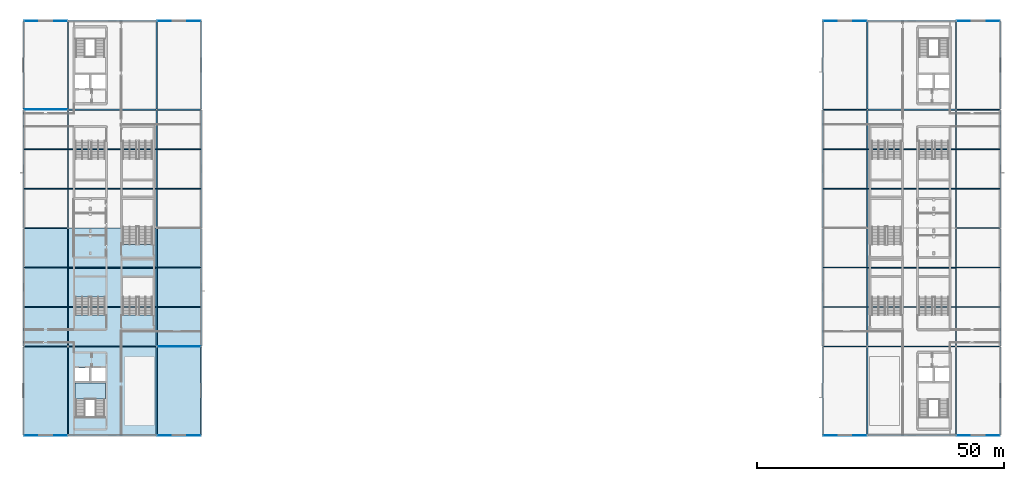
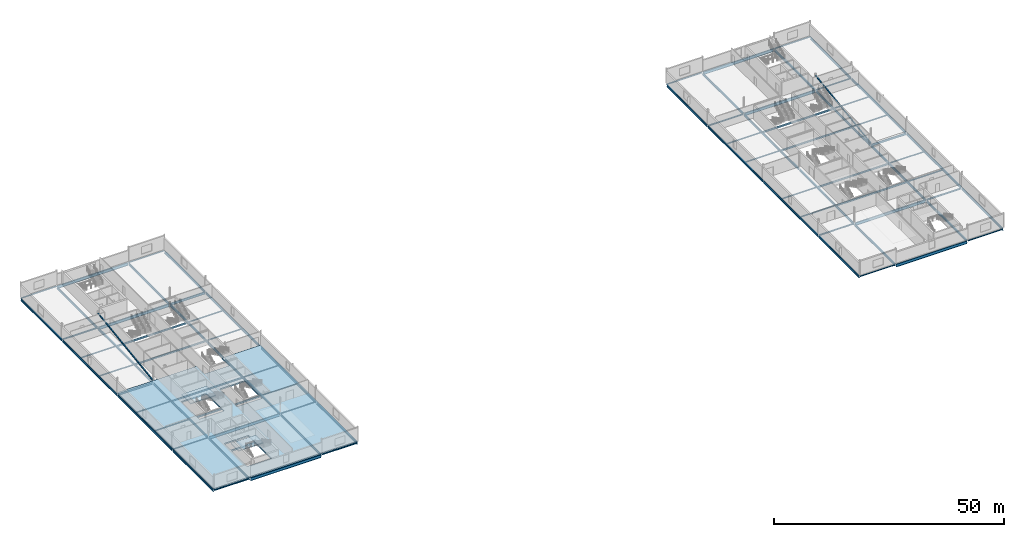
# One storey, part 17 of 35: 82 beams, 3 slabs, 2 members, 2 elements without a shape of their own.
"""IFC4 building model written with IfcOpenShell, lengths in metres."""

from ifc_helpers import new_model, si_unit, direction, frame, origin, origin_2d, place, context, subcontext, project, spatial, polyline, hollow_rectangle, i_section, u_section, outline, extrude, material, layer, layer_set, material_profile, profile_set, type_object, element, aggregate, save


model = new_model("IFC4")

# Units and contexts
model_context = context("Model", 3, precision=1e-05, world=origin(), true_north=direction((0.0, 1.0)))
body_context = subcontext(model_context, "Body", "Model", "MODEL_VIEW")
ifc_project = project(units=[si_unit("LENGTHUNIT", "METRE"), si_unit("AREAUNIT", "SQUARE_METRE"), si_unit("VOLUMEUNIT", "CUBIC_METRE"), si_unit("PLANEANGLEUNIT", "RADIAN"), si_unit("MASSUNIT", "GRAM", prefix="KILO")], contexts=[model_context])

# Site, building, storey
site_placement = place(None, origin())
site = spatial("IfcSite", under=ifc_project, at=site_placement, CompositionType="ELEMENT")
building_placement = place(site_placement, origin())
building = spatial("IfcBuilding", under=site, at=building_placement, Name="Kisiwana Market Hall", CompositionType="ELEMENT")
storey_placement = place(building_placement, frame((0.0, 0.0, 57.89990234375)))
storey = spatial("IfcBuildingStorey", under=building, at=storey_placement, Name="L13", CompositionType="ELEMENT", Elevation=57.89990234375)

# Beams
ifc_material_1 = material(Name="Steel S355", Category="steel")
ifc_material_profile_1 = material_profile(ifc_material_1, i_section(OverallWidth=0.230224609375, OverallDepth=0.6171875, WebThickness=0.01318359375, FlangeThickness=0.022216796875, FilletRadius=0.0126953125, at=origin_2d()), Name="UB 610x229x140")
ifc_profile_set_1 = profile_set([ifc_material_profile_1], Name="Steel S355")
beam_type_1 = type_object("IfcBeamType", Name="BM-GIRD-UB140", PredefinedType="BEAM", material=ifc_profile_set_1)
beam_1_placement = place(storey_placement, frame((27.1240234375, 84.0, -0.66357421875), z_axis=(1.0, 0.0, 0.0), x_axis=(0.0, 1.0, 0.0)))
element("IfcBeam", 1, at=beam_1_placement, inside=storey, type_object=beam_type_1, Name="Floor beam B-2692", PredefinedType="BEAM", context=body_context, shape_type="SweptSolid", body=[
    extrude(i_section(OverallWidth=0.230224609375, OverallDepth=0.6171875, WebThickness=0.01318359375, FlangeThickness=0.022216796875, FilletRadius=0.0126953125, at=origin_2d()), origin(), (0.0, 0.0, 1.0), 8.751953125),
])
ifc_material_2 = material(Name="Steel S355", Category="steel")
ifc_material_profile_2 = material_profile(ifc_material_2, i_section(OverallWidth=0.209228515625, OverallDepth=0.533203125, WebThickness=0.010009765625, FlangeThickness=0.015625, at=origin_2d()), Name="UB 533x210x92")
ifc_profile_set_2 = profile_set([ifc_material_profile_2], Name="Steel S355")
beam_type_2 = type_object("IfcBeamType", Name="BM-GIRD-UB533", PredefinedType="BEAM", material=ifc_profile_set_2)
for number, where, z_axis, x_axis, name in (
    (2, (0.1240234375, 60.0, -0.621337890625), (1.0, 0.0, 0.0), (0.0, 1.0, 0.0), "Primary girder B-2636"),
    (3, (189.1240234375, 60.0, -0.621337890625), (1.0, 0.0, 0.0), (0.0, 1.0, 0.0), "Primary girder B-2637"),
):
    element("IfcBeam", number, at=place(storey_placement, frame(where, z_axis=z_axis, x_axis=x_axis)), inside=storey, type_object=beam_type_2, Name=name, PredefinedType="BEAM", context=body_context, shape_type="SweptSolid", body=[
        extrude(i_section(OverallWidth=0.209228515625, OverallDepth=0.533203125, WebThickness=0.010009765625, FlangeThickness=0.015625, at=origin_2d()), origin(), (0.0, 0.0, 1.0), 8.751953125),
    ])
ifc_material_3 = material(Name="Steel S355", Category="steel")
ifc_material_profile_3 = material_profile(ifc_material_3, i_section(OverallWidth=0.22900390625, OverallDepth=0.6123046875, WebThickness=0.011962890625, FlangeThickness=0.01953125, at=origin_2d()), Name="UB 610x229x125")
ifc_profile_set_3 = profile_set([ifc_material_profile_3], Name="Steel S355")
beam_type_3 = type_object("IfcBeamType", Name="BM-GIRD-UB610H", PredefinedType="BEAM", material=ifc_profile_set_3)
beam_2_placement = place(storey_placement, frame((0.0, 18.126220703125, -0.660888671875), z_axis=(0.0, 1.0, 0.0), x_axis=(-1.0, 0.0, 0.0)))
element("IfcBeam", 4, at=beam_2_placement, inside=storey, type_object=beam_type_3, Name="Floor beam B-2702", PredefinedType="BEAM", context=body_context, shape_type="SweptSolid", body=[
    extrude(i_section(OverallWidth=0.22900390625, OverallDepth=0.6123046875, WebThickness=0.011962890625, FlangeThickness=0.01953125, at=origin_2d()), origin(), (0.0, 0.0, 1.0), 17.74755859375),
])
for number, where, z_axis, x_axis, name in (
    (5, (0.0, 36.126220703125, -0.660888671875), (0.0, 1.0, 0.0), (-1.0, 0.0, 0.0), "Floor beam B-2703"),
    (6, (0.0, 60.126220703125, -0.660888671875), (0.0, 1.0, 0.0), (-1.0, 0.0, 0.0), "Floor beam B-2704"),
):
    element("IfcBeam", number, at=place(storey_placement, frame(where, z_axis=z_axis, x_axis=x_axis)), inside=storey, type_object=beam_type_3, Name=name, PredefinedType="BEAM", context=body_context, shape_type="SweptSolid", body=[
        extrude(i_section(OverallWidth=0.22900390625, OverallDepth=0.6123046875, WebThickness=0.011962890625, FlangeThickness=0.01953125, at=origin_2d()), origin(), (0.0, 0.0, 1.0), 23.74755859375),
    ])
beam_3_placement = place(storey_placement, frame((0.0, 84.126220703125, -0.660888671875), z_axis=(0.0, 1.0, 0.0), x_axis=(-1.0, 0.0, 0.0)))
element("IfcBeam", 7, at=beam_3_placement, inside=storey, type_object=beam_type_3, Name="Floor beam B-2705", PredefinedType="BEAM", context=body_context, shape_type="SweptSolid", body=[
    extrude(i_section(OverallWidth=0.22900390625, OverallDepth=0.6123046875, WebThickness=0.011962890625, FlangeThickness=0.01953125, at=origin_2d()), origin(), (0.0, 0.0, 1.0), 17.74755859375),
])
for number, where, z_axis, x_axis, name in (
    (8, (27.0, 36.126220703125, -0.660888671875), (0.0, 1.0, 0.0), (-1.0, 0.0, 0.0), "Floor beam B-2706"),
    (9, (27.0, 60.126220703125, -0.660888671875), (0.0, 1.0, 0.0), (-1.0, 0.0, 0.0), "Floor beam B-2707"),
):
    element("IfcBeam", number, at=place(storey_placement, frame(where, z_axis=z_axis, x_axis=x_axis)), inside=storey, type_object=beam_type_3, Name=name, PredefinedType="BEAM", context=body_context, shape_type="SweptSolid", body=[
        extrude(i_section(OverallWidth=0.22900390625, OverallDepth=0.6123046875, WebThickness=0.011962890625, FlangeThickness=0.01953125, at=origin_2d()), origin(), (0.0, 0.0, 1.0), 23.74755859375),
    ])
for number, where, z_axis, x_axis, name in (
    (10, (36.0, 18.126220703125, -0.660888671875), (0.0, 1.0, 0.0), (-1.0, 0.0, 0.0), "Floor beam B-2708"),
    (11, (36.0, 84.126220703125, -0.660888671875), (0.0, 1.0, 0.0), (-1.0, 0.0, 0.0), "Floor beam B-2709"),
    (12, (162.0, 18.126220703125, -0.660888671875), (0.0, 1.0, 0.0), (-1.0, 0.0, 0.0), "Floor beam B-2710"),
    (13, (162.0, 84.126220703125, -0.660888671875), (0.0, 1.0, 0.0), (-1.0, 0.0, 0.0), "Floor beam B-2711"),
):
    element("IfcBeam", number, at=place(storey_placement, frame(where, z_axis=z_axis, x_axis=x_axis)), inside=storey, type_object=beam_type_3, Name=name, PredefinedType="BEAM", context=body_context, shape_type="SweptSolid", body=[
        extrude(i_section(OverallWidth=0.22900390625, OverallDepth=0.6123046875, WebThickness=0.011962890625, FlangeThickness=0.01953125, at=origin_2d()), origin(), (0.0, 0.0, 1.0), 17.74755859375),
    ])
for number, where, z_axis, x_axis, name in (
    (14, (171.0, 36.126220703125, -0.660888671875), (0.0, 1.0, 0.0), (-1.0, 0.0, 0.0), "Floor beam B-2712"),
    (15, (171.0, 60.126220703125, -0.660888671875), (0.0, 1.0, 0.0), (-1.0, 0.0, 0.0), "Floor beam B-2713"),
):
    element("IfcBeam", number, at=place(storey_placement, frame(where, z_axis=z_axis, x_axis=x_axis)), inside=storey, type_object=beam_type_3, Name=name, PredefinedType="BEAM", context=body_context, shape_type="SweptSolid", body=[
        extrude(i_section(OverallWidth=0.22900390625, OverallDepth=0.6123046875, WebThickness=0.011962890625, FlangeThickness=0.01953125, at=origin_2d()), origin(), (0.0, 0.0, 1.0), 23.74755859375),
    ])
beam_4_placement = place(storey_placement, frame((198.0, 18.126220703125, -0.660888671875), z_axis=(0.0, 1.0, 0.0), x_axis=(-1.0, 0.0, 0.0)))
element("IfcBeam", 16, at=beam_4_placement, inside=storey, type_object=beam_type_3, Name="Floor beam B-2714", PredefinedType="BEAM", context=body_context, shape_type="SweptSolid", body=[
    extrude(i_section(OverallWidth=0.22900390625, OverallDepth=0.6123046875, WebThickness=0.011962890625, FlangeThickness=0.01953125, at=origin_2d()), origin(), (0.0, 0.0, 1.0), 17.74755859375),
])
for number, where, z_axis, x_axis, name in (
    (17, (198.0, 36.126220703125, -0.660888671875), (0.0, 1.0, 0.0), (-1.0, 0.0, 0.0), "Floor beam B-2715"),
    (18, (198.0, 60.126220703125, -0.660888671875), (0.0, 1.0, 0.0), (-1.0, 0.0, 0.0), "Floor beam B-2716"),
):
    element("IfcBeam", number, at=place(storey_placement, frame(where, z_axis=z_axis, x_axis=x_axis)), inside=storey, type_object=beam_type_3, Name=name, PredefinedType="BEAM", context=body_context, shape_type="SweptSolid", body=[
        extrude(i_section(OverallWidth=0.22900390625, OverallDepth=0.6123046875, WebThickness=0.011962890625, FlangeThickness=0.01953125, at=origin_2d()), origin(), (0.0, 0.0, 1.0), 23.74755859375),
    ])
for number, where, z_axis, x_axis, name in (
    (19, (198.0, 84.126220703125, -0.660888671875), (0.0, 1.0, 0.0), (-1.0, 0.0, 0.0), "Floor beam B-2717"),
    (20, (9.0, 18.126220703125, -0.660888671875), (0.0, 1.0, 0.0), (-1.0, 0.0, 0.0), "Primary girder B-2638"),
):
    element("IfcBeam", number, at=place(storey_placement, frame(where, z_axis=z_axis, x_axis=x_axis)), inside=storey, type_object=beam_type_3, Name=name, PredefinedType="BEAM", context=body_context, shape_type="SweptSolid", body=[
        extrude(i_section(OverallWidth=0.22900390625, OverallDepth=0.6123046875, WebThickness=0.011962890625, FlangeThickness=0.01953125, at=origin_2d()), origin(), (0.0, 0.0, 1.0), 17.74755859375),
    ])
for number, where, z_axis, x_axis, name in (
    (21, (9.0, 36.126220703125, -0.660888671875), (0.0, 1.0, 0.0), (-1.0, 0.0, 0.0), "Primary girder B-2639"),
    (22, (9.0, 60.126220703125, -0.660888671875), (0.0, 1.0, 0.0), (-1.0, 0.0, 0.0), "Primary girder B-2640"),
):
    element("IfcBeam", number, at=place(storey_placement, frame(where, z_axis=z_axis, x_axis=x_axis)), inside=storey, type_object=beam_type_3, Name=name, PredefinedType="BEAM", context=body_context, shape_type="SweptSolid", body=[
        extrude(i_section(OverallWidth=0.22900390625, OverallDepth=0.6123046875, WebThickness=0.011962890625, FlangeThickness=0.01953125, at=origin_2d()), origin(), (0.0, 0.0, 1.0), 23.74755859375),
    ])
for number, where, z_axis, x_axis, name in (
    (23, (9.0, 84.126220703125, -0.660888671875), (0.0, 1.0, 0.0), (-1.0, 0.0, 0.0), "Primary girder B-2641"),
    (24, (27.0, 18.126220703125, -0.660888671875), (0.0, 1.0, 0.0), (-1.0, 0.0, 0.0), "Primary girder B-2642"),
    (25, (27.0, 84.126220703125, -0.660888671875), (0.0, 1.0, 0.0), (-1.0, 0.0, 0.0), "Primary girder B-2643"),
):
    element("IfcBeam", number, at=place(storey_placement, frame(where, z_axis=z_axis, x_axis=x_axis)), inside=storey, type_object=beam_type_3, Name=name, PredefinedType="BEAM", context=body_context, shape_type="SweptSolid", body=[
        extrude(i_section(OverallWidth=0.22900390625, OverallDepth=0.6123046875, WebThickness=0.011962890625, FlangeThickness=0.01953125, at=origin_2d()), origin(), (0.0, 0.0, 1.0), 17.74755859375),
    ])
for number, where, z_axis, x_axis, name in (
    (26, (36.0, 36.126220703125, -0.660888671875), (0.0, 1.0, 0.0), (-1.0, 0.0, 0.0), "Primary girder B-2644"),
    (27, (36.0, 60.126220703125, -0.660888671875), (0.0, 1.0, 0.0), (-1.0, 0.0, 0.0), "Primary girder B-2645"),
    (28, (162.0, 36.126220703125, -0.660888671875), (0.0, 1.0, 0.0), (-1.0, 0.0, 0.0), "Primary girder B-2646"),
    (29, (162.0, 60.126220703125, -0.660888671875), (0.0, 1.0, 0.0), (-1.0, 0.0, 0.0), "Primary girder B-2647"),
):
    element("IfcBeam", number, at=place(storey_placement, frame(where, z_axis=z_axis, x_axis=x_axis)), inside=storey, type_object=beam_type_3, Name=name, PredefinedType="BEAM", context=body_context, shape_type="SweptSolid", body=[
        extrude(i_section(OverallWidth=0.22900390625, OverallDepth=0.6123046875, WebThickness=0.011962890625, FlangeThickness=0.01953125, at=origin_2d()), origin(), (0.0, 0.0, 1.0), 23.74755859375),
    ])
for number, where, z_axis, x_axis, name in (
    (30, (171.0, 18.126220703125, -0.660888671875), (0.0, 1.0, 0.0), (-1.0, 0.0, 0.0), "Primary girder B-2648"),
    (31, (171.0, 84.126220703125, -0.660888671875), (0.0, 1.0, 0.0), (-1.0, 0.0, 0.0), "Primary girder B-2649"),
    (32, (189.0, 18.126220703125, -0.660888671875), (0.0, 1.0, 0.0), (-1.0, 0.0, 0.0), "Primary girder B-2650"),
):
    element("IfcBeam", number, at=place(storey_placement, frame(where, z_axis=z_axis, x_axis=x_axis)), inside=storey, type_object=beam_type_3, Name=name, PredefinedType="BEAM", context=body_context, shape_type="SweptSolid", body=[
        extrude(i_section(OverallWidth=0.22900390625, OverallDepth=0.6123046875, WebThickness=0.011962890625, FlangeThickness=0.01953125, at=origin_2d()), origin(), (0.0, 0.0, 1.0), 17.74755859375),
    ])
for number, where, z_axis, x_axis, name in (
    (33, (189.0, 36.126220703125, -0.660888671875), (0.0, 1.0, 0.0), (-1.0, 0.0, 0.0), "Primary girder B-2651"),
    (34, (189.0, 60.126220703125, -0.660888671875), (0.0, 1.0, 0.0), (-1.0, 0.0, 0.0), "Primary girder B-2652"),
):
    element("IfcBeam", number, at=place(storey_placement, frame(where, z_axis=z_axis, x_axis=x_axis)), inside=storey, type_object=beam_type_3, Name=name, PredefinedType="BEAM", context=body_context, shape_type="SweptSolid", body=[
        extrude(i_section(OverallWidth=0.22900390625, OverallDepth=0.6123046875, WebThickness=0.011962890625, FlangeThickness=0.01953125, at=origin_2d()), origin(), (0.0, 0.0, 1.0), 23.74755859375),
    ])
beam_5_placement = place(storey_placement, frame((189.0, 84.126220703125, -0.660888671875), z_axis=(0.0, 1.0, 0.0), x_axis=(-1.0, 0.0, 0.0)))
element("IfcBeam", 35, at=beam_5_placement, inside=storey, type_object=beam_type_3, Name="Primary girder B-2653", PredefinedType="BEAM", context=body_context, shape_type="SweptSolid", body=[
    extrude(i_section(OverallWidth=0.22900390625, OverallDepth=0.6123046875, WebThickness=0.011962890625, FlangeThickness=0.01953125, at=origin_2d()), origin(), (0.0, 0.0, 1.0), 17.74755859375),
])
ifc_material_4 = material(Name="Steel S355", Category="steel")
ifc_material_profile_4 = material_profile(ifc_material_4, i_section(OverallWidth=0.2666015625, OverallDepth=0.76220703125, WebThickness=0.014404296875, FlangeThickness=0.021484375, at=origin_2d()), Name="UB 762x267x173")
ifc_profile_set_4 = profile_set([ifc_material_profile_4], Name="Steel S355")
beam_type_4 = type_object("IfcBeamType", Name="BM-GIRD-UB762", PredefinedType="BEAM", material=ifc_profile_set_4)
for number, where, z_axis, x_axis, name in (
    (36, (9.1240234375, 18.0, -0.736083984375), (1.0, 0.0, 0.0), (0.0, 1.0, 0.0), "Floor beam B-2679"),
    (37, (171.1240234375, 18.0, -0.736083984375), (1.0, 0.0, 0.0), (0.0, 1.0, 0.0), "Floor beam B-2682"),
    (38, (9.1240234375, 36.0, -0.736083984375), (1.0, 0.0, 0.0), (0.0, 1.0, 0.0), "Floor beam B-2685"),
    (39, (171.1240234375, 36.0, -0.736083984375), (1.0, 0.0, 0.0), (0.0, 1.0, 0.0), "Floor beam B-2688"),
    (40, (9.1240234375, 84.0, -0.736083984375), (1.0, 0.0, 0.0), (0.0, 1.0, 0.0), "Floor beam B-2691"),
    (41, (171.1240234375, 84.0, -0.736083984375), (1.0, 0.0, 0.0), (0.0, 1.0, 0.0), "Floor beam B-2694"),
    (42, (9.1240234375, 102.0, -0.736083984375), (1.0, 0.0, 0.0), (0.0, 1.0, 0.0), "Floor beam B-2697"),
    (43, (171.1240234375, 102.0, -0.736083984375), (1.0, 0.0, 0.0), (0.0, 1.0, 0.0), "Floor beam B-2700"),
):
    element("IfcBeam", number, at=place(storey_placement, frame(where, z_axis=z_axis, x_axis=x_axis)), inside=storey, type_object=beam_type_4, Name=name, PredefinedType="BEAM", context=body_context, shape_type="SweptSolid", body=[
        extrude(i_section(OverallWidth=0.2666015625, OverallDepth=0.76220703125, WebThickness=0.014404296875, FlangeThickness=0.021484375, at=origin_2d()), origin(), (0.0, 0.0, 1.0), 17.751953125),
    ])
ifc_material_5 = material(Name="Steel S355", Category="steel")
ifc_material_profile_5 = material_profile(ifc_material_5, i_section(OverallWidth=0.135009765625, OverallDepth=0.27001953125, WebThickness=0.006591796875, FlangeThickness=0.01025390625, FilletRadius=0.014892578125, at=origin_2d()), Name="IPE 270")
ifc_profile_set_5 = profile_set([ifc_material_profile_5], Name="Steel S355")
beam_type_5 = type_object("IfcBeamType", Name="BM-JOIST-IPE270", PredefinedType="JOIST", material=ifc_profile_set_5)
beam_6_placement = place(storey_placement, frame((162.1240234375, 36.0, -0.489990234375), z_axis=(1.0, 0.0, 0.0), x_axis=(0.0, 1.0, 0.0)))
element("IfcBeam", 44, at=beam_6_placement, inside=storey, type_object=beam_type_5, Name="Floor beam B-2687", PredefinedType="JOIST", context=body_context, shape_type="SweptSolid", body=[
    extrude(i_section(OverallWidth=0.135009765625, OverallDepth=0.27001953125, WebThickness=0.006591796875, FlangeThickness=0.01025390625, FilletRadius=0.014892578125, at=origin_2d()), origin(), (0.0, 0.0, 1.0), 8.751953125),
])
ifc_material_6 = material(Name="Steel S355", Category="steel")
ifc_material_profile_6 = material_profile(ifc_material_6, i_section(OverallWidth=0.102294921875, OverallDepth=0.260498046875, WebThickness=0.00634765625, FlangeThickness=0.010009765625, FilletRadius=0.007568359375, at=origin_2d()), Name="UB 254x102x28")
ifc_profile_set_6 = profile_set([ifc_material_profile_6], Name="Steel S355")
beam_type_6 = type_object("IfcBeamType", Name="BM-JOIST-UB028", PredefinedType="JOIST", material=ifc_profile_set_6)
beam_7_placement = place(storey_placement, frame((27.1240234375, 36.0, -0.485107421875), z_axis=(1.0, 0.0, 0.0), x_axis=(0.0, 1.0, 0.0)))
element("IfcBeam", 45, at=beam_7_placement, inside=storey, type_object=beam_type_6, Name="Floor beam B-2686", PredefinedType="JOIST", context=body_context, shape_type="SweptSolid", body=[
    extrude(i_section(OverallWidth=0.102294921875, OverallDepth=0.260498046875, WebThickness=0.00634765625, FlangeThickness=0.010009765625, FilletRadius=0.007568359375, at=origin_2d()), origin(), (0.0, 0.0, 1.0), 8.751953125),
])
ifc_material_7 = material(Name="Steel S355", Category="steel")
ifc_material_profile_7 = material_profile(ifc_material_7, i_section(OverallWidth=0.1650390625, OverallDepth=0.303466796875, WebThickness=0.006103515625, FlangeThickness=0.01025390625, at=origin_2d()), Name="UB 305x165x40")
ifc_profile_set_7 = profile_set([ifc_material_profile_7], Name="Steel S355")
beam_type_7 = type_object("IfcBeamType", Name="BM-JOIST-UB305", PredefinedType="JOIST", material=ifc_profile_set_7)
for number, where, z_axis, x_axis, name in (
    (46, (0.1240234375, 36.0, -0.506591796875), (1.0, 0.0, 0.0), (0.0, 1.0, 0.0), "Floor beam B-2684"),
    (47, (189.1240234375, 84.0, -0.506591796875), (1.0, 0.0, 0.0), (0.0, 1.0, 0.0), "Floor beam B-2695"),
):
    element("IfcBeam", number, at=place(storey_placement, frame(where, z_axis=z_axis, x_axis=x_axis)), inside=storey, type_object=beam_type_7, Name=name, PredefinedType="JOIST", context=body_context, shape_type="SweptSolid", body=[
        extrude(i_section(OverallWidth=0.1650390625, OverallDepth=0.303466796875, WebThickness=0.006103515625, FlangeThickness=0.01025390625, at=origin_2d()), origin(), (0.0, 0.0, 1.0), 8.751953125),
    ])
ifc_material_8 = material(Name="Steel S355", Category="steel")
ifc_material_profile_8 = material_profile(ifc_material_8, i_section(OverallWidth=0.165771484375, OverallDepth=0.306640625, WebThickness=0.006591796875, FlangeThickness=0.01171875, at=origin_2d()), Name="UB 305x165x46")
ifc_profile_set_8 = profile_set([ifc_material_profile_8], Name="Steel S355")
beam_type_8 = type_object("IfcBeamType", Name="BM-JOIST-UB305H", PredefinedType="JOIST", material=ifc_profile_set_8)
for number, where, z_axis, x_axis, name in (
    (48, (0.113525390625, 44.0, -0.50830078125), (1.0, 0.0, 0.0), (0.0, 1.0, 0.0), "Secondary floor joist B-2654"),
    (49, (27.113525390625, 44.0, -0.50830078125), (1.0, 0.0, 0.0), (0.0, 1.0, 0.0), "Secondary floor joist B-2656"),
    (50, (162.113525390625, 44.0, -0.50830078125), (1.0, 0.0, 0.0), (0.0, 1.0, 0.0), "Secondary floor joist B-2657"),
    (51, (189.113525390625, 44.0, -0.50830078125), (1.0, 0.0, 0.0), (0.0, 1.0, 0.0), "Secondary floor joist B-2659"),
    (52, (0.113525390625, 52.0, -0.50830078125), (1.0, 0.0, 0.0), (0.0, 1.0, 0.0), "Secondary floor joist B-2660"),
    (53, (27.113525390625, 52.0, -0.50830078125), (1.0, 0.0, 0.0), (0.0, 1.0, 0.0), "Secondary floor joist B-2662"),
    (54, (162.113525390625, 52.0, -0.50830078125), (1.0, 0.0, 0.0), (0.0, 1.0, 0.0), "Secondary floor joist B-2663"),
    (55, (189.113525390625, 52.0, -0.50830078125), (1.0, 0.0, 0.0), (0.0, 1.0, 0.0), "Secondary floor joist B-2665"),
    (56, (0.113525390625, 68.0, -0.50830078125), (1.0, 0.0, 0.0), (0.0, 1.0, 0.0), "Secondary floor joist B-2666"),
    (57, (27.113525390625, 68.0, -0.50830078125), (1.0, 0.0, 0.0), (0.0, 1.0, 0.0), "Secondary floor joist B-2668"),
    (58, (162.113525390625, 68.0, -0.50830078125), (1.0, 0.0, 0.0), (0.0, 1.0, 0.0), "Secondary floor joist B-2669"),
    (59, (189.113525390625, 68.0, -0.50830078125), (1.0, 0.0, 0.0), (0.0, 1.0, 0.0), "Secondary floor joist B-2671"),
    (60, (0.113525390625, 76.0, -0.50830078125), (1.0, 0.0, 0.0), (0.0, 1.0, 0.0), "Secondary floor joist B-2672"),
    (61, (27.113525390625, 76.0, -0.50830078125), (1.0, 0.0, 0.0), (0.0, 1.0, 0.0), "Secondary floor joist B-2674"),
    (62, (162.113525390625, 76.0, -0.50830078125), (1.0, 0.0, 0.0), (0.0, 1.0, 0.0), "Secondary floor joist B-2675"),
    (63, (189.113525390625, 76.0, -0.50830078125), (1.0, 0.0, 0.0), (0.0, 1.0, 0.0), "Secondary floor joist B-2677"),
):
    element("IfcBeam", number, at=place(storey_placement, frame(where, z_axis=z_axis, x_axis=x_axis)), inside=storey, type_object=beam_type_8, Name=name, PredefinedType="JOIST", context=body_context, shape_type="SweptSolid", body=[
        extrude(i_section(OverallWidth=0.165771484375, OverallDepth=0.306640625, WebThickness=0.006591796875, FlangeThickness=0.01171875, at=origin_2d()), origin(), (0.0, 0.0, 1.0), 8.77294921875),
    ])
ifc_material_9 = material(Name="Steel S355", Category="steel")
ifc_material_profile_9 = material_profile(ifc_material_9, i_section(OverallWidth=0.17138671875, OverallDepth=0.35498046875, WebThickness=0.00732421875, FlangeThickness=0.011474609375, at=origin_2d()), Name="UB 356x171x51")
ifc_profile_set_9 = profile_set([ifc_material_profile_9], Name="Steel S355")
beam_type_9 = type_object("IfcBeamType", Name="BM-JOIST-UB356", PredefinedType="JOIST", material=ifc_profile_set_9)
beam_8_placement = place(storey_placement, frame((162.1240234375, 84.0, -0.532470703125), z_axis=(1.0, 0.0, 0.0), x_axis=(0.0, 1.0, 0.0)))
element("IfcBeam", 64, at=beam_8_placement, inside=storey, type_object=beam_type_9, Name="Floor beam B-2693", PredefinedType="JOIST", context=body_context, shape_type="SweptSolid", body=[
    extrude(i_section(OverallWidth=0.17138671875, OverallDepth=0.35498046875, WebThickness=0.00732421875, FlangeThickness=0.011474609375, at=origin_2d()), origin(), (0.0, 0.0, 1.0), 8.751953125),
])
ifc_material_10 = material(Name="Steel S355", Category="steel")
ifc_material_profile_10 = material_profile(ifc_material_10, i_section(OverallWidth=0.177734375, OverallDepth=0.402587890625, WebThickness=0.0078125, FlangeThickness=0.010986328125, at=origin_2d()), Name="UB 406x178x54")
ifc_profile_set_10 = profile_set([ifc_material_profile_10], Name="Steel S355")
beam_type_10 = type_object("IfcBeamType", Name="BM-JOIST-UB406", PredefinedType="JOIST", material=ifc_profile_set_10)
beam_9_placement = place(storey_placement, frame((189.1240234375, 36.0, -0.55615234375), z_axis=(1.0, 0.0, 0.0), x_axis=(0.0, 1.0, 0.0)))
element("IfcBeam", 65, at=beam_9_placement, inside=storey, type_object=beam_type_10, Name="Floor beam B-2689", PredefinedType="JOIST", context=body_context, shape_type="SweptSolid", body=[
    extrude(i_section(OverallWidth=0.177734375, OverallDepth=0.402587890625, WebThickness=0.0078125, FlangeThickness=0.010986328125, at=origin_2d()), origin(), (0.0, 0.0, 1.0), 8.751953125),
])
ifc_material_11 = material(Name="Steel S355", Category="steel")
ifc_material_profile_11 = material_profile(ifc_material_11, i_section(OverallWidth=0.18994140625, OverallDepth=0.453369140625, WebThickness=0.008544921875, FlangeThickness=0.0126953125, at=origin_2d()), Name="UB 457x191x67")
ifc_profile_set_11 = profile_set([ifc_material_profile_11], Name="Steel S355")
beam_type_11 = type_object("IfcBeamType", Name="BM-JOIST-UB457", PredefinedType="JOIST", material=ifc_profile_set_11)
for number, where, z_axis, x_axis, name in (
    (66, (9.113525390625, 44.0, -0.58154296875), (1.0, 0.0, 0.0), (0.0, 1.0, 0.0), "Secondary floor joist B-2655"),
    (67, (171.113525390625, 44.0, -0.58154296875), (1.0, 0.0, 0.0), (0.0, 1.0, 0.0), "Secondary floor joist B-2658"),
    (68, (9.113525390625, 52.0, -0.58154296875), (1.0, 0.0, 0.0), (0.0, 1.0, 0.0), "Secondary floor joist B-2661"),
    (69, (171.113525390625, 52.0, -0.58154296875), (1.0, 0.0, 0.0), (0.0, 1.0, 0.0), "Secondary floor joist B-2664"),
    (70, (9.113525390625, 68.0, -0.58154296875), (1.0, 0.0, 0.0), (0.0, 1.0, 0.0), "Secondary floor joist B-2667"),
    (71, (171.113525390625, 68.0, -0.58154296875), (1.0, 0.0, 0.0), (0.0, 1.0, 0.0), "Secondary floor joist B-2670"),
    (72, (9.113525390625, 76.0, -0.58154296875), (1.0, 0.0, 0.0), (0.0, 1.0, 0.0), "Secondary floor joist B-2673"),
    (73, (171.113525390625, 76.0, -0.58154296875), (1.0, 0.0, 0.0), (0.0, 1.0, 0.0), "Secondary floor joist B-2676"),
):
    element("IfcBeam", number, at=place(storey_placement, frame(where, z_axis=z_axis, x_axis=x_axis)), inside=storey, type_object=beam_type_11, Name=name, PredefinedType="JOIST", context=body_context, shape_type="SweptSolid", body=[
        extrude(i_section(OverallWidth=0.18994140625, OverallDepth=0.453369140625, WebThickness=0.008544921875, FlangeThickness=0.0126953125, at=origin_2d()), origin(), (0.0, 0.0, 1.0), 17.77294921875),
    ])
ifc_material_12 = material(Name="Steel S355", Category="steel")
ifc_material_profile_12 = material_profile(ifc_material_12, u_section(Depth=0.300048828125, FlangeWidth=0.10009765625, WebThickness=0.009033203125, FlangeThickness=0.0166015625, at=origin_2d()), Name="PFC 300x100x46")
ifc_profile_set_12 = profile_set([ifc_material_profile_12], Name="Steel S355")
beam_type_12 = type_object("IfcBeamType", Name="BM-SPAN-PFC300", PredefinedType="SPANDREL", material=ifc_profile_set_12)
beam_10_placement = place(storey_placement, frame((0.1240234375, 84.0, -0.5048828125), z_axis=(1.0, 0.0, 0.0), x_axis=(0.0, 1.0, 0.0)))
element("IfcBeam", 74, at=beam_10_placement, inside=storey, type_object=beam_type_12, Name="Floor beam B-2690", PredefinedType="SPANDREL", context=body_context, shape_type="SweptSolid", body=[
    extrude(u_section(Depth=0.300048828125, FlangeWidth=0.10009765625, WebThickness=0.009033203125, FlangeThickness=0.0166015625, at=origin_2d()), origin(), (0.0, 0.0, 1.0), 8.751953125),
])
ifc_material_13 = material(Name="Steel S355", Category="steel")
ifc_material_profile_13 = material_profile(ifc_material_13, hollow_rectangle(XDim=0.10009765625, YDim=0.199951171875, WallThickness=0.008056640625, at=origin_2d()), Name="RHS 200x100x8.0")
ifc_profile_set_13 = profile_set([ifc_material_profile_13], Name="Steel S355")
beam_type_13 = type_object("IfcBeamType", Name="BM-SPAN-RHS200", PredefinedType="SPANDREL", material=ifc_profile_set_13)
for number, where, z_axis, x_axis, name in (
    (75, (0.1240234375, 18.0, -0.454833984375), (1.0, 0.0, 0.0), (0.0, 1.0, 0.0), "Floor beam B-2678"),
    (76, (27.1240234375, 18.0, -0.454833984375), (1.0, 0.0, 0.0), (0.0, 1.0, 0.0), "Floor beam B-2680"),
    (77, (162.1240234375, 18.0, -0.454833984375), (1.0, 0.0, 0.0), (0.0, 1.0, 0.0), "Floor beam B-2681"),
    (78, (189.1240234375, 18.0, -0.454833984375), (1.0, 0.0, 0.0), (0.0, 1.0, 0.0), "Floor beam B-2683"),
    (79, (0.1240234375, 102.0, -0.454833984375), (1.0, 0.0, 0.0), (0.0, 1.0, 0.0), "Floor beam B-2696"),
    (80, (27.1240234375, 102.0, -0.454833984375), (1.0, 0.0, 0.0), (0.0, 1.0, 0.0), "Floor beam B-2698"),
    (81, (162.1240234375, 102.0, -0.454833984375), (1.0, 0.0, 0.0), (0.0, 1.0, 0.0), "Floor beam B-2699"),
    (82, (189.1240234375, 102.0, -0.454833984375), (1.0, 0.0, 0.0), (0.0, 1.0, 0.0), "Floor beam B-2701"),
):
    element("IfcBeam", number, at=place(storey_placement, frame(where, z_axis=z_axis, x_axis=x_axis)), inside=storey, type_object=beam_type_13, Name=name, PredefinedType="SPANDREL", context=body_context, shape_type="SweptSolid", body=[
        extrude(hollow_rectangle(XDim=0.10009765625, YDim=0.199951171875, WallThickness=0.008056640625, at=origin_2d()), origin(), (0.0, 0.0, 1.0), 8.751953125),
    ])

# Members
ifc_material_14 = material(Name="Steel S355", Category="steel")
ifc_material_profile_14 = material_profile(ifc_material_14, hollow_rectangle(XDim=0.25, YDim=0.25, WallThickness=0.012451171875, at=origin_2d()), Name="SHS 250x250x12.5")
ifc_profile_set_14 = profile_set([ifc_material_profile_14], Name="Steel S355")
member_type = type_object("IfcMemberType", Name="MB-CBF-SHS250", PredefinedType="BRACE", material=ifc_profile_set_14)
for number, where, z_axis, x_axis, name in (
    (83, (9.0, 60.0, 0.0), (0.0, 0.990370167022, 0.1384446903), (-1.0, 0.0, 0.0), "CBF-W-S diagonal brace (L13) M-0045"),
    (84, (189.0, 60.0, 0.0), (0.0, 0.990370167022, 0.1384446903), (-1.0, 0.0, 0.0), "CBF-E-S diagonal brace (L13) M-0046"),
):
    element("IfcMember", number, at=place(storey_placement, frame(where, z_axis=z_axis, x_axis=x_axis)), inside=storey, type_object=member_type, Name=name, PredefinedType="BRACE", context=body_context, shape_type="SweptSolid", body=[
        extrude(hollow_rectangle(XDim=0.25, YDim=0.25, WallThickness=0.012451171875, at=origin_2d()), origin(), (0.0, 0.0, 1.0), 24.2333984375),
    ])

# Stair, slab
ifc_material_15 = material(Name="Concrete C32/40", Category="concrete")
stair_type_1 = type_object("IfcStairType", Name="ST-TWR-3900", PredefinedType="TWO_STRAIGHT_RUN_STAIR", material=ifc_material_15)
stair_1_placement = place(storey_placement, origin())
stair_1 = element("IfcStair", 85, at=stair_1_placement, inside=storey, type_object=stair_type_1, Name="Escape stair ST-W2-L13", PredefinedType="TWO_STRAIGHT_RUN_STAIR")
ifc_material_16 = material(Name="Concrete C32/40", Category="concrete")
ifc_layer_1 = layer(ifc_material_16, 0.239990234375)
ifc_layer_set_1 = layer_set([ifc_layer_1], Name="SL-LANDING-160")
slab_type_1 = type_object("IfcSlabType", Name="SL-LANDING-160", PredefinedType="LANDING", material=ifc_layer_set_1)
slab_1_placement = place(storey_placement, frame((0.0, 0.0, 1.710205078125)))
slab_1 = element("IfcSlab", 86, at=slab_1_placement, type_object=slab_type_1, Name="ST-W2-L13 landing 1 S-432", PredefinedType="LANDING", context=body_context, shape_type="SweptSolid", body=[
    extrude(outline(polyline([(10.405029296875, 25.333984375), (16.594970703125, 25.333984375), (16.594970703125, 28.64501953125), (10.405029296875, 28.64501953125), (10.405029296875, 25.333984375)])), origin(), (0.0, 0.0, 1.0), 0.239990234375),
])
aggregate(stair_1, [slab_1])

ifc_material_17 = material(Name="Concrete C32/40", Category="concrete")
stair_type_2 = type_object("IfcStairType", Name="ST-ESC-3900", PredefinedType="TWO_STRAIGHT_RUN_STAIR", material=ifc_material_17)
stair_2_placement = place(storey_placement, origin())
stair_2 = element("IfcStair", 87, at=stair_2_placement, inside=storey, type_object=stair_type_2, Name="Escape stair ST-W3-L13", PredefinedType="TWO_STRAIGHT_RUN_STAIR")
slab_2_placement = place(storey_placement, frame((0.0, 0.0, 1.710205078125)))
slab_2 = element("IfcSlab", 88, at=slab_2_placement, type_object=slab_type_1, Name="ST-W3-L13 landing 1 S-433", PredefinedType="LANDING", context=body_context, shape_type="SweptSolid", body=[
    extrude(outline(polyline([(10.340087890625, 46.01953125), (16.659912109375, 46.01953125), (16.659912109375, 50.06005859375), (10.340087890625, 50.06005859375), (10.340087890625, 46.01953125)])), origin(), (0.0, 0.0, 1.0), 0.239990234375),
])
aggregate(stair_2, [slab_2])

# Slab
ifc_material_18 = material(Name="Concrete C32/40", Category="concrete")
ifc_layer_2 = layer(ifc_material_18, 0.35498046875)
ifc_layer_set_2 = layer_set([ifc_layer_2], Name="SL-OFF-290")
slab_type_2 = type_object("IfcSlabType", Name="SL-OFF-290", PredefinedType="FLOOR", material=ifc_layer_set_2)
slab_3_placement = place(storey_placement, frame((0.0, 0.0, -0.35498046875)))
element("IfcSlab", 89, at=slab_3_placement, inside=storey, type_object=slab_type_2, Name="Structural slab S-420", PredefinedType="FLOOR", context=body_context, shape_type="SweptSolid", body=[
    extrude(outline(polyline([(0.0, 18.0), (36.0, 18.0), (36.0, 60.0), (26.239990234375, 60.0), (26.239990234375, 56.659912109375), (19.9599609375, 56.659912109375), (19.9599609375, 60.0), (0.0, 60.0), (0.0, 18.0)]), holes=[polyline([(10.425048828125, 21.675048828125), (16.574951171875, 21.675048828125), (16.574951171875, 28.625), (10.425048828125, 28.625), (10.425048828125, 21.675048828125)]), polyline([(10.425048828125, 28.945068359375), (13.340087890625, 28.945068359375), (13.340087890625, 31.675048828125), (10.425048828125, 31.675048828125), (10.425048828125, 28.945068359375)]), polyline([(13.659912109375, 28.945068359375), (16.574951171875, 28.945068359375), (16.574951171875, 31.675048828125), (13.659912109375, 31.675048828125), (13.659912109375, 28.945068359375)]), polyline([(10.360107421875, 42.3798828125), (16.639892578125, 42.3798828125), (16.639892578125, 50.0400390625), (10.360107421875, 50.0400390625), (10.360107421875, 42.3798828125)]), polyline([(19.9599609375, 42.3798828125), (26.239990234375, 42.3798828125), (26.239990234375, 50.0400390625), (19.9599609375, 50.0400390625), (19.9599609375, 42.3798828125)])]), origin(), (0.0, 0.0, 1.0), 0.35498046875),
])

save(model, "model.ifc")
